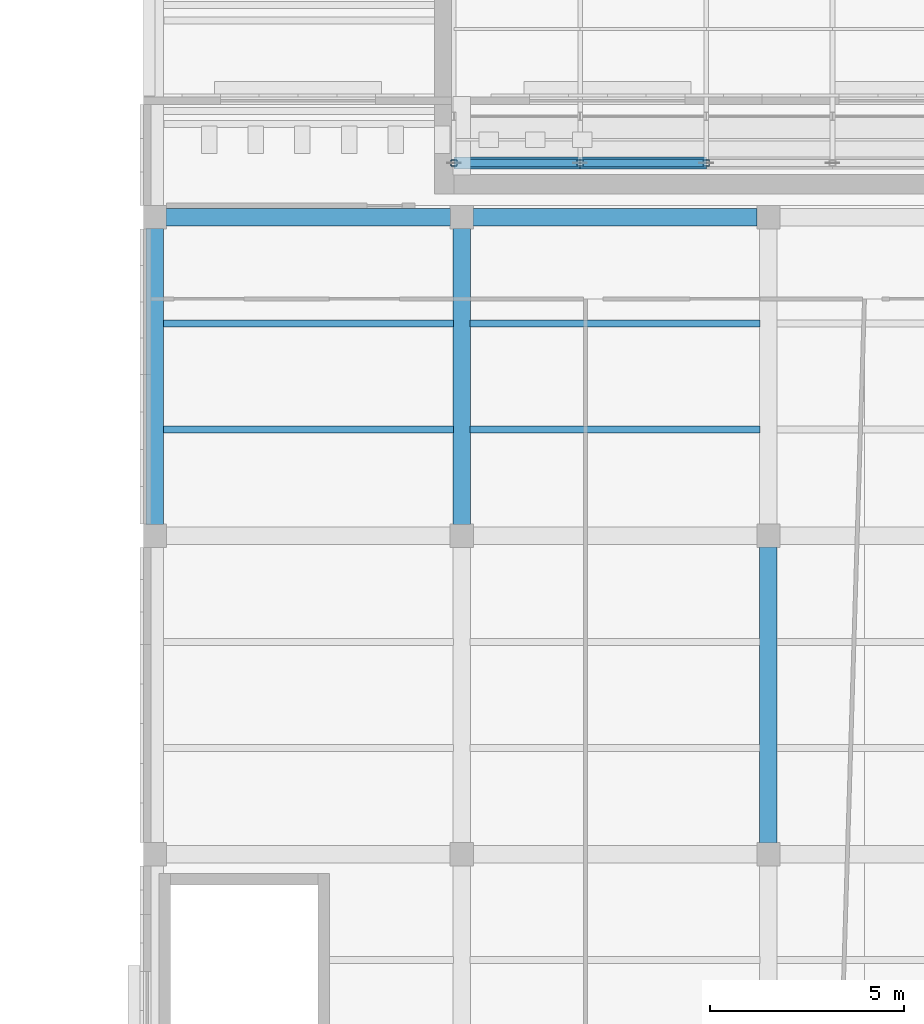
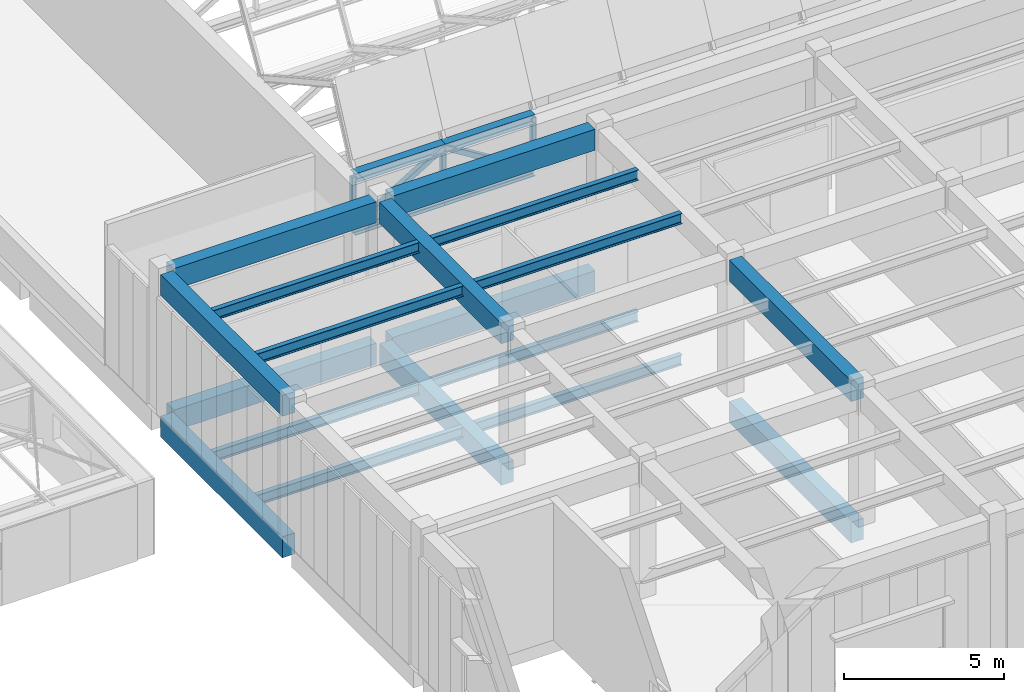
# One storey, part 47 of 132: 18 beams, 9 members.
"""IFC4 building model written with IfcOpenShell, lengths in metres."""

from ifc_helpers import new_model, si_unit, direction, frame, origin, origin_2d, place, context, subcontext, project, spatial, rectangle, hollow_rectangle, i_section, extrude, material, material_profile, profile_set, type_object, element, save


model = new_model("IFC4")

# Units and contexts
model_context = context("Model", 3, precision=1e-05, world=origin(), true_north=direction((0.0, 1.0)))
body_context = subcontext(model_context, "Body", "Model", "MODEL_VIEW")
ifc_project = project(units=[si_unit("LENGTHUNIT", "METRE"), si_unit("AREAUNIT", "SQUARE_METRE"), si_unit("VOLUMEUNIT", "CUBIC_METRE"), si_unit("PLANEANGLEUNIT", "RADIAN"), si_unit("MASSUNIT", "GRAM", prefix="KILO")], contexts=[model_context])

# Site, building, storey
site_placement = place(None, origin())
site = spatial("IfcSite", under=ifc_project, at=site_placement, CompositionType="ELEMENT")
building_placement = place(site_placement, origin())
building = spatial("IfcBuilding", under=site, at=building_placement, Name="Lunette Opera House", CompositionType="ELEMENT")
storey_placement = place(building_placement, frame((0.0, 0.0, 17.0)))
storey = spatial("IfcBuildingStorey", under=building, at=storey_placement, Name="L03", CompositionType="ELEMENT", Elevation=17.0)

# Members
ifc_material_1 = material(Name="Steel S355", Category="steel")
ifc_material_profile_1 = material_profile(ifc_material_1, i_section(OverallWidth=0.300048828125, OverallDepth=0.35009765625, WebThickness=0.010009765625, FlangeThickness=0.017578125, FilletRadius=0.027099609375, at=origin_2d()), Name="HEA 360")
ifc_profile_set_1 = profile_set([ifc_material_profile_1], Name="Steel S355")
member_type_1 = type_object("IfcMemberType", Name="CHORD HEA 360", PredefinedType="CHORD", material=ifc_profile_set_1)
for number, where, z_axis, x_axis, name in (
    (1, (144.0, 104.300048828125, 5.205078125), (1.0, 0.0, 0.0), (0.0, 1.0, 0.0), "mem-WW-L03-WW-TR01-TC1"),
    (2, (144.0, 104.300048828125, 3.205078125), (1.0, 0.0, 0.0), (0.0, 1.0, 0.0), "mem-WW-L03-WW-TR01-BC1"),
    (3, (147.25, 104.300048828125, 5.205078125), (1.0, 0.0, 0.0), (0.0, 1.0, 0.0), "mem-WW-L03-WW-TR01-TC2"),
    (4, (147.25, 104.300048828125, 3.205078125), (1.0, 0.0, 0.0), (0.0, 1.0, 0.0), "mem-WW-L03-WW-TR01-BC2"),
):
    element("IfcMember", number, at=place(storey_placement, frame(where, z_axis=z_axis, x_axis=x_axis)), inside=storey, type_object=member_type_1, Name=name, PredefinedType="CHORD", context=body_context, shape_type="SweptSolid", body=[
        extrude(i_section(OverallWidth=0.300048828125, OverallDepth=0.35009765625, WebThickness=0.010009765625, FlangeThickness=0.017578125, FilletRadius=0.027099609375, at=origin_2d()), origin(), (0.0, 0.0, 1.0), 3.25),
    ])
ifc_material_2 = material(Name="Steel S355", Category="steel")
ifc_material_profile_2 = material_profile(ifc_material_2, hollow_rectangle(XDim=0.199951171875, YDim=0.199951171875, WallThickness=0.008056640625, InnerFilletRadius=0.008056640625, OuterFilletRadius=0.01611328125, at=origin_2d()), Name="RHS 200X200X8")
ifc_profile_set_2 = profile_set([ifc_material_profile_2], Name="Steel S355")
member_type_2 = type_object("IfcMemberType", Name="DIAGONAL RHS 200X200X8", PredefinedType="BRACE", material=ifc_profile_set_2)
for number, where, z_axis, x_axis, name in (
    (5, (144.0, 104.300048828125, 3.205078125), (0.851658316705, 0.0, 0.524097425664), (0.0, 1.0, 0.0), "mem-WW-L03-WW-TR01-TD1"),
    (6, (147.25, 104.300048828125, 5.205078125), (0.851658316705, 0.0, -0.524097425664), (0.0, 1.0, 0.0), "mem-WW-L03-WW-TR01-TD2"),
):
    element("IfcMember", number, at=place(storey_placement, frame(where, z_axis=z_axis, x_axis=x_axis)), inside=storey, type_object=member_type_2, Name=name, PredefinedType="BRACE", context=body_context, shape_type="SweptSolid", body=[
        extrude(hollow_rectangle(XDim=0.199951171875, YDim=0.199951171875, WallThickness=0.008056640625, InnerFilletRadius=0.008056640625, OuterFilletRadius=0.01611328125, at=origin_2d()), origin(), (0.0, 0.0, 1.0), 3.816162109375),
    ])

# Beams
ifc_material_3 = material(Name="Concrete C35/45", Category="concrete")
ifc_material_profile_3 = material_profile(ifc_material_3, rectangle(XDim=0.449951171875, YDim=0.800048828125, at=origin_2d()), Name="RC BEAM 450X800")
ifc_profile_set_3 = profile_set([ifc_material_profile_3], Name="Concrete C35/45")
beam_type_1 = type_object("IfcBeamType", Name="RC BEAM 450X800", PredefinedType="BEAM", material=ifc_profile_set_3)
for number, where, z_axis, x_axis, name in (
    (7, (136.300048828125, 94.989990234375, -0.550048828125), (0.0, 1.0, 0.0), (-1.0, 0.0, 0.0), "beam-WW-L03-L03-GY02"),
    (8, (144.199951171875, 94.989990234375, -0.550048828125), (0.0, 1.0, 0.0), (-1.0, 0.0, 0.0), "beam-WW-L03-L03-GY12"),
):
    element("IfcBeam", number, at=place(storey_placement, frame(where, z_axis=z_axis, x_axis=x_axis)), inside=storey, type_object=beam_type_1, Name=name, PredefinedType="BEAM", context=body_context, shape_type="SweptSolid", body=[
        extrude(rectangle(XDim=0.449951171875, YDim=0.800048828125, at=origin_2d()), origin(), (0.0, 0.0, 1.0), 7.6201171875),
    ])
beam_1_placement = place(storey_placement, frame((152.10009765625, 86.7900390625, -0.550048828125), z_axis=(0.0, 1.0, 0.0), x_axis=(-1.0, 0.0, 0.0)))
element("IfcBeam", 9, at=beam_1_placement, inside=storey, type_object=beam_type_1, Name="beam-WW-L03-L03-GY21", PredefinedType="BEAM", context=body_context, shape_type="SweptSolid", body=[
    extrude(rectangle(XDim=0.449951171875, YDim=0.800048828125, at=origin_2d()), origin(), (0.0, 0.0, 1.0), 7.619873046875),
])
beam_2_placement = place(storey_placement, frame((136.590087890625, 102.89990234375, -0.550048828125), z_axis=(1.0, 0.0, 0.0), x_axis=(0.0, 1.0, 0.0)))
element("IfcBeam", 10, at=beam_2_placement, inside=storey, type_object=beam_type_1, Name="beam-WW-L03-L03-GX03", PredefinedType="BEAM", context=body_context, shape_type="SweptSolid", body=[
    extrude(rectangle(XDim=0.449951171875, YDim=0.800048828125, at=origin_2d()), origin(), (0.0, 0.0, 1.0), 7.31982421875),
])
beam_3_placement = place(storey_placement, frame((144.489990234375, 102.89990234375, -0.550048828125), z_axis=(1.0, 0.0, 0.0), x_axis=(0.0, 1.0, 0.0)))
element("IfcBeam", 11, at=beam_3_placement, inside=storey, type_object=beam_type_1, Name="beam-WW-L03-L03-GX13", PredefinedType="BEAM", context=body_context, shape_type="SweptSolid", body=[
    extrude(rectangle(XDim=0.449951171875, YDim=0.800048828125, at=origin_2d()), origin(), (0.0, 0.0, 1.0), 7.320068359375),
])
for number, where, z_axis, x_axis, name in (
    (12, (136.300048828125, 94.989990234375, 4.85009765625), (0.0, 1.0, 0.0), (-1.0, 0.0, 0.0), "beam-WW-L03-L03R-GY02"),
    (13, (144.199951171875, 94.989990234375, 4.85009765625), (0.0, 1.0, 0.0), (-1.0, 0.0, 0.0), "beam-WW-L03-L03R-GY12"),
):
    element("IfcBeam", number, at=place(storey_placement, frame(where, z_axis=z_axis, x_axis=x_axis)), inside=storey, type_object=beam_type_1, Name=name, PredefinedType="BEAM", context=body_context, shape_type="SweptSolid", body=[
        extrude(rectangle(XDim=0.449951171875, YDim=0.800048828125, at=origin_2d()), origin(), (0.0, 0.0, 1.0), 7.6201171875),
    ])
beam_4_placement = place(storey_placement, frame((152.10009765625, 86.7900390625, 4.85009765625), z_axis=(0.0, 1.0, 0.0), x_axis=(-1.0, 0.0, 0.0)))
element("IfcBeam", 14, at=beam_4_placement, inside=storey, type_object=beam_type_1, Name="beam-WW-L03-L03R-GY21", PredefinedType="BEAM", context=body_context, shape_type="SweptSolid", body=[
    extrude(rectangle(XDim=0.449951171875, YDim=0.800048828125, at=origin_2d()), origin(), (0.0, 0.0, 1.0), 7.619873046875),
])
beam_5_placement = place(storey_placement, frame((136.590087890625, 102.89990234375, 4.85009765625), z_axis=(1.0, 0.0, 0.0), x_axis=(0.0, 1.0, 0.0)))
element("IfcBeam", 15, at=beam_5_placement, inside=storey, type_object=beam_type_1, Name="beam-WW-L03-L03R-GX03", PredefinedType="BEAM", context=body_context, shape_type="SweptSolid", body=[
    extrude(rectangle(XDim=0.449951171875, YDim=0.800048828125, at=origin_2d()), origin(), (0.0, 0.0, 1.0), 7.31982421875),
])
beam_6_placement = place(storey_placement, frame((144.489990234375, 102.89990234375, 4.85009765625), z_axis=(1.0, 0.0, 0.0), x_axis=(0.0, 1.0, 0.0)))
element("IfcBeam", 16, at=beam_6_placement, inside=storey, type_object=beam_type_1, Name="beam-WW-L03-L03R-GX13", PredefinedType="BEAM", context=body_context, shape_type="SweptSolid", body=[
    extrude(rectangle(XDim=0.449951171875, YDim=0.800048828125, at=origin_2d()), origin(), (0.0, 0.0, 1.0), 7.320068359375),
])
ifc_material_4 = material(Name="Steel S355", Category="steel")
ifc_material_profile_4 = material_profile(ifc_material_4, i_section(OverallWidth=0.179931640625, OverallDepth=0.39990234375, WebThickness=0.008544921875, FlangeThickness=0.013427734375, FilletRadius=0.02099609375, at=origin_2d()), Name="IPE 400")
ifc_profile_set_4 = profile_set([ifc_material_profile_4], Name="Steel S355")
beam_type_2 = type_object("IfcBeamType", Name="STEEL BEAM IPE 400", PredefinedType="BEAM", material=ifc_profile_set_4)
for number, where, z_axis, x_axis, name in (
    (17, (136.514892578125, 97.43310546875, -0.35009765625), (1.0, 0.0, 0.0), (0.0, 1.0, 0.0), "beam-WW-L03-L03-SX021"),
    (18, (136.514892578125, 100.1669921875, -0.35009765625), (1.0, 0.0, 0.0), (0.0, 1.0, 0.0), "beam-WW-L03-L03-SX022"),
):
    element("IfcBeam", number, at=place(storey_placement, frame(where, z_axis=z_axis, x_axis=x_axis)), inside=storey, type_object=beam_type_2, Name=name, PredefinedType="BEAM", context=body_context, shape_type="SweptSolid", body=[
        extrude(i_section(OverallWidth=0.179931640625, OverallDepth=0.39990234375, WebThickness=0.008544921875, FlangeThickness=0.013427734375, FilletRadius=0.02099609375, at=origin_2d()), origin(), (0.0, 0.0, 1.0), 7.47021484375),
    ])
for number, where, z_axis, x_axis, name in (
    (19, (144.4150390625, 97.43310546875, -0.35009765625), (1.0, 0.0, 0.0), (0.0, 1.0, 0.0), "beam-WW-L03-L03-SX121"),
    (20, (144.4150390625, 100.1669921875, -0.35009765625), (1.0, 0.0, 0.0), (0.0, 1.0, 0.0), "beam-WW-L03-L03-SX122"),
):
    element("IfcBeam", number, at=place(storey_placement, frame(where, z_axis=z_axis, x_axis=x_axis)), inside=storey, type_object=beam_type_2, Name=name, PredefinedType="BEAM", context=body_context, shape_type="SweptSolid", body=[
        extrude(i_section(OverallWidth=0.179931640625, OverallDepth=0.39990234375, WebThickness=0.008544921875, FlangeThickness=0.013427734375, FilletRadius=0.02099609375, at=origin_2d()), origin(), (0.0, 0.0, 1.0), 7.469970703125),
    ])
for number, where, z_axis, x_axis, name in (
    (21, (136.514892578125, 97.43310546875, 5.050048828125), (1.0, 0.0, 0.0), (0.0, 1.0, 0.0), "beam-WW-L03-L03R-SX021"),
    (22, (136.514892578125, 100.1669921875, 5.050048828125), (1.0, 0.0, 0.0), (0.0, 1.0, 0.0), "beam-WW-L03-L03R-SX022"),
):
    element("IfcBeam", number, at=place(storey_placement, frame(where, z_axis=z_axis, x_axis=x_axis)), inside=storey, type_object=beam_type_2, Name=name, PredefinedType="BEAM", context=body_context, shape_type="SweptSolid", body=[
        extrude(i_section(OverallWidth=0.179931640625, OverallDepth=0.39990234375, WebThickness=0.008544921875, FlangeThickness=0.013427734375, FilletRadius=0.02099609375, at=origin_2d()), origin(), (0.0, 0.0, 1.0), 7.47021484375),
    ])
for number, where, z_axis, x_axis, name in (
    (23, (144.4150390625, 97.43310546875, 5.050048828125), (1.0, 0.0, 0.0), (0.0, 1.0, 0.0), "beam-WW-L03-L03R-SX121"),
    (24, (144.4150390625, 100.1669921875, 5.050048828125), (1.0, 0.0, 0.0), (0.0, 1.0, 0.0), "beam-WW-L03-L03R-SX122"),
):
    element("IfcBeam", number, at=place(storey_placement, frame(where, z_axis=z_axis, x_axis=x_axis)), inside=storey, type_object=beam_type_2, Name=name, PredefinedType="BEAM", context=body_context, shape_type="SweptSolid", body=[
        extrude(i_section(OverallWidth=0.179931640625, OverallDepth=0.39990234375, WebThickness=0.008544921875, FlangeThickness=0.013427734375, FilletRadius=0.02099609375, at=origin_2d()), origin(), (0.0, 0.0, 1.0), 7.469970703125),
    ])

# Members
ifc_material_5 = material(Name="Steel S355", Category="steel")
ifc_material_profile_5 = material_profile(ifc_material_5, hollow_rectangle(XDim=0.159912109375, YDim=0.159912109375, WallThickness=0.008056640625, InnerFilletRadius=0.008056640625, OuterFilletRadius=0.01611328125, at=origin_2d()), Name="RHS 160X160X8")
ifc_profile_set_5 = profile_set([ifc_material_profile_5], Name="Steel S355")
member_type_3 = type_object("IfcMemberType", Name="VERTICAL RHS 160X160X8", PredefinedType="POST", material=ifc_profile_set_5)
for number, where, z_axis, x_axis, name in (
    (25, (144.0, 104.300048828125, 3.205078125), (0.0, 0.0, 1.0), (1.0, 0.0, 0.0), "mem-WW-L03-WW-TR01-TV1"),
    (26, (147.25, 104.300048828125, 3.205078125), (0.0, 0.0, 1.0), (1.0, 0.0, 0.0), "mem-WW-L03-WW-TR01-TV2"),
    (27, (150.5, 104.300048828125, 3.205078125), (0.0, 0.0, 1.0), (1.0, 0.0, 0.0), "mem-WW-L03-WW-TR01-TV3"),
):
    element("IfcMember", number, at=place(storey_placement, frame(where, z_axis=z_axis, x_axis=x_axis)), inside=storey, type_object=member_type_3, Name=name, PredefinedType="POST", context=body_context, shape_type="SweptSolid", body=[
        extrude(hollow_rectangle(XDim=0.159912109375, YDim=0.159912109375, WallThickness=0.008056640625, InnerFilletRadius=0.008056640625, OuterFilletRadius=0.01611328125, at=origin_2d()), origin(), (0.0, 0.0, 1.0), 2.0),
    ])

save(model, "model.ifc")
